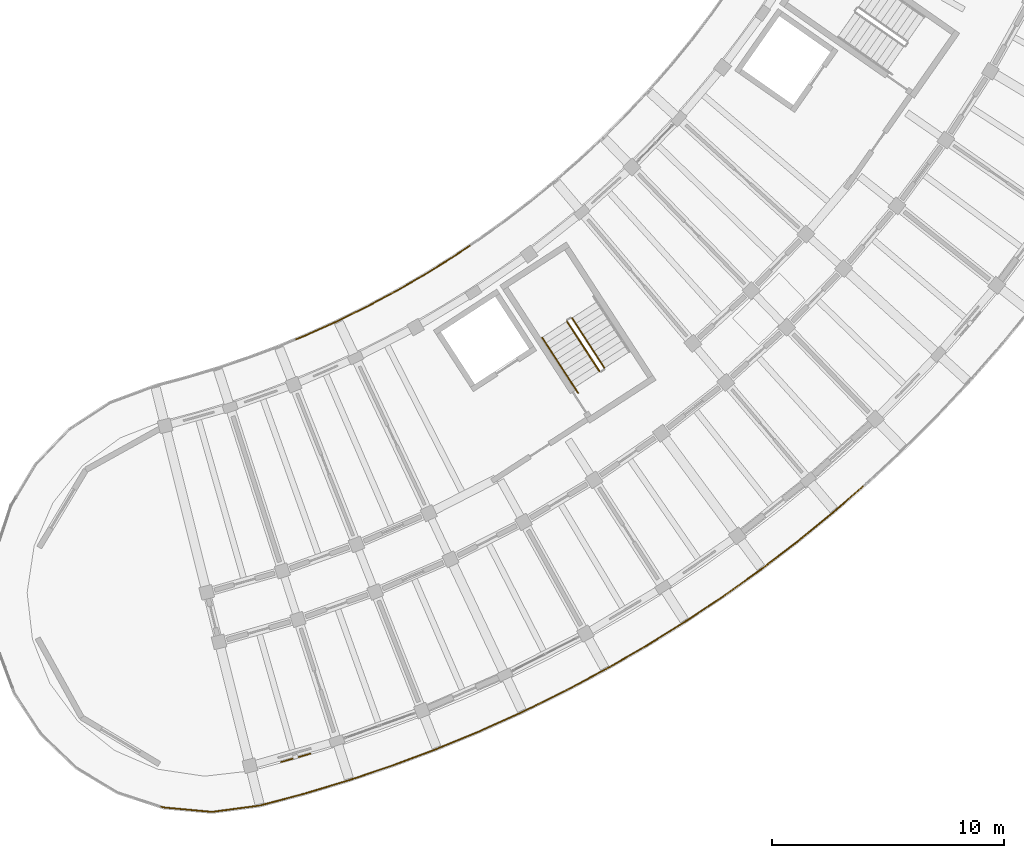
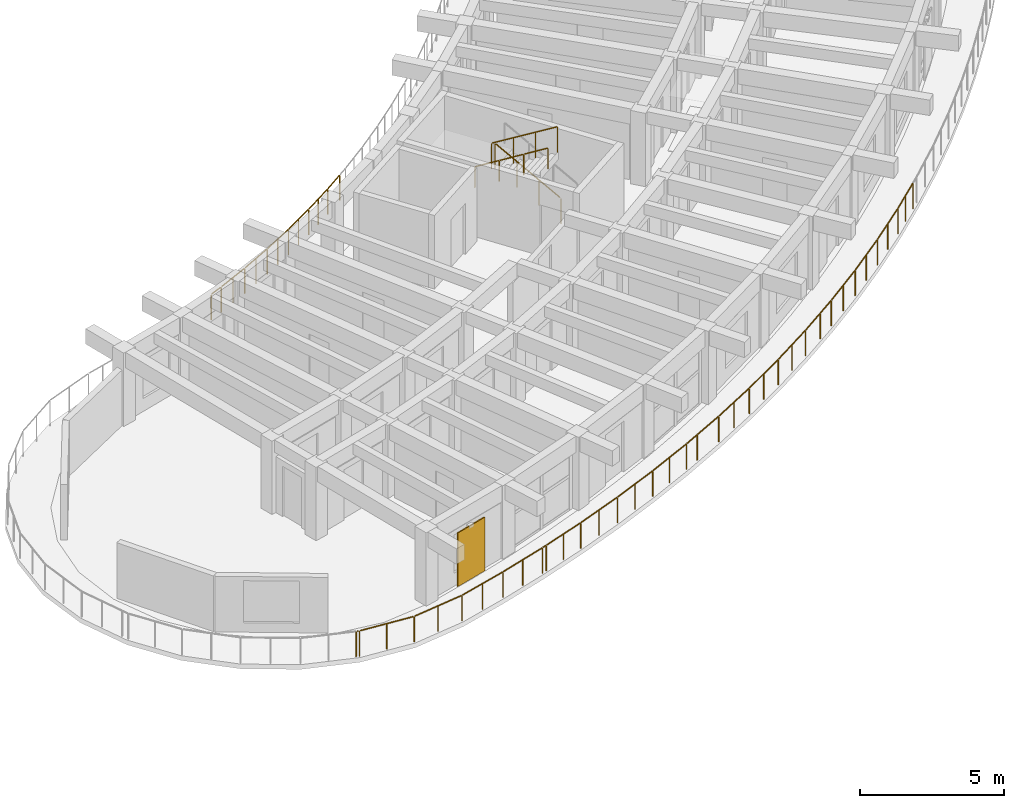
# One storey, part 88 of 96: 10 railings, 1 shading device.
"""IFC4 building model written with IfcOpenShell, lengths in metres."""

from ifc_helpers import new_model, si_unit, direction, frame, origin, origin_2d, place, context, subcontext, project, spatial, rectangle, circle, extrude, material, layer, layer_set, type_object, element, save


model = new_model("IFC4")

# Units and contexts
model_context = context("Model", 3, precision=1e-05, world=origin(), true_north=direction((0.0, 1.0)))
body_context = subcontext(model_context, "Body", "Model", "MODEL_VIEW")
ifc_project = project(units=[si_unit("LENGTHUNIT", "METRE"), si_unit("AREAUNIT", "SQUARE_METRE"), si_unit("VOLUMEUNIT", "CUBIC_METRE"), si_unit("PLANEANGLEUNIT", "RADIAN"), si_unit("MASSUNIT", "GRAM", prefix="KILO")], contexts=[model_context])

# Site, building, storey
site_placement = place(None, origin())
site = spatial("IfcSite", under=ifc_project, at=site_placement, CompositionType="ELEMENT")
building_placement = place(site_placement, origin())
building = spatial("IfcBuilding", under=site, at=building_placement, Name="Tanwirah Colonnade Gardens", CompositionType="ELEMENT")
storey_placement = place(building_placement, frame((0.0, 0.0, 12.199951171875)))
storey = spatial("IfcBuildingStorey", under=building, at=storey_placement, Name="L03", CompositionType="ELEMENT", Elevation=12.199951171875)

# Railings
ifc_material_1 = material(Name="Precast concrete C40/50", Category="concrete")
railing_type_1 = type_object("IfcRailingType", Name="BAL-EXT110", PredefinedType="BALUSTRADE", material=ifc_material_1)
railing_1_placement = place(storey_placement, frame((137.40625, 25.105224609375, 0.0)))
element("IfcRailing", 1, at=railing_1_placement, inside=storey, type_object=railing_type_1, Name="Block D L03 Balcony Ribbon Balustrade 2", PredefinedType="BALUSTRADE", context=body_context, shape_type="SweptSolid", body=[
    extrude(circle(Radius=0.02392578125, at=origin_2d()), frame((0.02880859375, 0.011962890625, 1.076171875), z_axis=(0.924304230347, 0.381656507561, 0.0), x_axis=(-0.381656507561, 0.924304230347, 0.0)), (0.0, 0.0, 1.0), 0.506103515625),
    extrude(circle(Radius=0.02392578125, at=origin_2d()), frame((0.556640625, 0.231201171875, 1.076171875), z_axis=(0.911383314029, 0.411558568018, 0.0), x_axis=(-0.411558568018, 0.911383314029, 0.0)), (0.0, 0.0, 1.0), 1.33154296875),
    extrude(circle(Radius=0.02392578125, at=origin_2d()), frame((1.828857421875, 0.80712890625, 1.076171875), z_axis=(0.897349966121, 0.441319655469, 0.0), x_axis=(-0.441319655469, 0.897349966121, 0.0)), (0.0, 0.0, 1.0), 1.33154296875),
    extrude(circle(Radius=0.02392578125, at=origin_2d()), frame((3.081787109375, 1.42431640625, 1.076171875), z_axis=(0.88242081136, 0.470460956593, 0.0), x_axis=(-0.470460956593, 0.88242081136, 0.0)), (0.0, 0.0, 1.0), 1.331298828125),
    extrude(circle(Radius=0.02392578125, at=origin_2d()), frame((4.313720703125, 2.082275390625, 1.076171875), z_axis=(0.866535241782, 0.499115893104, 0.0), x_axis=(-0.499115893104, 0.866535241782, 0.0)), (0.0, 0.0, 1.0), 1.33154296875),
    extrude(circle(Radius=0.02392578125, at=origin_2d()), frame((5.5234375, 2.7802734375, 1.076171875), z_axis=(0.849764617567, 0.527162303973, 0.0), x_axis=(-0.527162303973, 0.849764617567, 0.0)), (0.0, 0.0, 1.0), 1.33154296875),
    extrude(circle(Radius=0.02392578125, at=origin_2d()), frame((6.709716796875, 3.517333984375, 1.076171875), z_axis=(0.832050294338, 0.554700196225, 0.0), x_axis=(-0.554700196225, 0.832050294338, 0.0)), (0.0, 0.0, 1.0), 0.8828125),
    extrude(circle(Radius=0.02099609375, at=origin_2d()), origin(), (0.0, 0.0, 1.0), 1.049072265625),
    extrude(circle(Radius=0.02099609375, at=origin_2d()), frame((0.525634765625, 0.217041015625, 0.0)), (0.0, 0.0, 1.0), 1.049072265625),
    extrude(circle(Radius=0.02099609375, at=origin_2d()), frame((1.163330078125, 0.505126953125, 0.0)), (0.0, 0.0, 1.0), 1.049072265625),
    extrude(circle(Radius=0.02099609375, at=origin_2d()), frame((1.798583984375, 0.7919921875, 0.0)), (0.0, 0.0, 1.0), 1.049072265625),
    extrude(circle(Radius=0.02099609375, at=origin_2d()), frame((2.42626953125, 1.100830078125, 0.0)), (0.0, 0.0, 1.0), 1.049072265625),
    extrude(circle(Radius=0.02099609375, at=origin_2d()), frame((3.0517578125, 1.408447265625, 0.0)), (0.0, 0.0, 1.0), 1.049072265625),
    extrude(circle(Radius=0.02099609375, at=origin_2d()), frame((3.669189453125, 1.737548828125, 0.0)), (0.0, 0.0, 1.0), 1.049072265625),
    extrude(circle(Radius=0.02099609375, at=origin_2d()), frame((4.2841796875, 2.0654296875, 0.0)), (0.0, 0.0, 1.0), 1.049072265625),
    extrude(circle(Radius=0.02099609375, at=origin_2d()), frame((4.890625, 2.41455078125, 0.0)), (0.0, 0.0, 1.0), 1.049072265625),
    extrude(circle(Radius=0.02099609375, at=origin_2d()), frame((5.49462890625, 2.762451171875, 0.0)), (0.0, 0.0, 1.0), 1.049072265625),
    extrude(circle(Radius=0.02099609375, at=origin_2d()), frame((6.089111328125, 3.131103515625, 0.0)), (0.0, 0.0, 1.0), 1.049072265625),
    extrude(circle(Radius=0.02099609375, at=origin_2d()), frame((6.681396484375, 3.49853515625, 0.0)), (0.0, 0.0, 1.0), 1.049072265625),
    extrude(circle(Radius=0.02099609375, at=origin_2d()), frame((7.47021484375, 4.0244140625, 0.0)), (0.0, 0.0, 1.0), 1.049072265625),
])
railing_2_placement = place(storey_placement, frame((161.835693359375, 18.761962890625, 0.0)))
element("IfcRailing", 2, at=railing_2_placement, inside=storey, type_object=railing_type_1, Name="Block D L03 Balcony Ribbon Balustrade 14", PredefinedType="BALUSTRADE", context=body_context, shape_type="SweptSolid", body=[
    extrude(circle(Radius=0.02392578125, at=origin_2d()), frame((-0.0234375, -0.0205078125, 1.076171875), z_axis=(-0.752557964537, -0.658526013163, 0.0), x_axis=(0.658526013163, -0.752557964537, 0.0)), (0.0, 0.0, 1.0), 1.552490234375),
    extrude(circle(Radius=0.02392578125, at=origin_2d()), frame((-1.239501953125, -1.083251953125, 1.076171875), z_axis=(-0.773707873236, -0.633542521771, 0.0), x_axis=(0.633542521771, -0.773707873236, 0.0)), (0.0, 0.0, 1.0), 1.944091796875),
    extrude(circle(Radius=0.02392578125, at=origin_2d()), frame((-2.792724609375, -2.353759765625, 1.076171875), z_axis=(-0.794033083107, -0.607874545388, 0.0), x_axis=(0.607874545388, -0.794033083107, 0.0)), (0.0, 0.0, 1.0), 1.944091796875),
    extrude(circle(Radius=0.02392578125, at=origin_2d()), frame((-4.386474609375, -3.572509765625, 1.076171875), z_axis=(-0.813486769226, -0.581583421612, 0.0), x_axis=(0.581583421612, -0.813486769226, 0.0)), (0.0, 0.0, 1.0), 1.944091796875),
    extrude(circle(Radius=0.02392578125, at=origin_2d()), frame((-6.01953125, -4.73876953125, 1.076171875), z_axis=(-0.832050294338, -0.554700196225, 0.0), x_axis=(0.554700196225, -0.832050294338, 0.0)), (0.0, 0.0, 1.0), 0.802734375),
    extrude(circle(Radius=0.02099609375, at=origin_2d()), origin(), (0.0, 0.0, 1.0), 1.049072265625),
    extrude(circle(Radius=0.02099609375, at=origin_2d()), frame((-0.607666015625, -0.53173828125, 0.0)), (0.0, 0.0, 1.0), 1.049072265625),
    extrude(circle(Radius=0.02099609375, at=origin_2d()), frame((-1.21533203125, -1.0634765625, 0.0)), (0.0, 0.0, 1.0), 1.049072265625),
    extrude(circle(Radius=0.02099609375, at=origin_2d()), frame((-1.99169921875, -1.69921875, 0.0)), (0.0, 0.0, 1.0), 1.049072265625),
    extrude(circle(Radius=0.02099609375, at=origin_2d()), frame((-2.767822265625, -2.334716796875, 0.0)), (0.0, 0.0, 1.0), 1.049072265625),
    extrude(circle(Radius=0.02099609375, at=origin_2d()), frame((-3.564453125, -2.944580078125, 0.0)), (0.0, 0.0, 1.0), 1.049072265625),
    extrude(circle(Radius=0.02099609375, at=origin_2d()), frame((-4.361083984375, -3.554443359375, 0.0)), (0.0, 0.0, 1.0), 1.049072265625),
    extrude(circle(Radius=0.02099609375, at=origin_2d()), frame((-5.17724609375, -4.137939453125, 0.0)), (0.0, 0.0, 1.0), 1.049072265625),
    extrude(circle(Radius=0.02099609375, at=origin_2d()), frame((-5.993408203125, -4.721435546875, 0.0)), (0.0, 0.0, 1.0), 1.049072265625),
    extrude(circle(Radius=0.02099609375, at=origin_2d()), frame((-6.71337890625, -5.201416015625, 0.0)), (0.0, 0.0, 1.0), 1.049072265625),
])
railing_3_placement = place(storey_placement, frame((155.122314453125, 13.560546875, 0.0)))
element("IfcRailing", 3, at=railing_3_placement, inside=storey, type_object=railing_type_1, Name="Block D L03 Balcony Ribbon Balustrade 15", PredefinedType="BALUSTRADE", context=body_context, shape_type="SweptSolid", body=[
    extrude(circle(Radius=0.02392578125, at=origin_2d()), frame((-0.026123046875, -0.017333984375, 1.076171875), z_axis=(-0.832083201048, -0.554650832987, 0.0), x_axis=(0.554650832987, -0.832083201048, 0.0)), (0.0, 0.0, 1.0), 1.078857421875),
    extrude(circle(Radius=0.02392578125, at=origin_2d()), frame((-0.976318359375, -0.649658203125, 1.076171875), z_axis=(-0.84977735452, -0.527141771959, 0.0), x_axis=(0.527141771959, -0.84977735452, 0.0)), (0.0, 0.0, 1.0), 1.9443359375),
    extrude(circle(Radius=0.02392578125, at=origin_2d()), frame((-2.68212890625, -1.70654296875, 1.076171875), z_axis=(-0.866598539642, -0.499005983021, 0.0), x_axis=(0.499005983021, -0.866598539642, 0.0)), (0.0, 0.0, 1.0), 1.94384765625),
    extrude(circle(Radius=0.02392578125, at=origin_2d()), frame((-4.42138671875, -2.706787109375, 1.076171875), z_axis=(-0.882416921514, -0.470468252516, 0.0), x_axis=(0.470468252516, -0.882416921514, 0.0)), (0.0, 0.0, 1.0), 1.944091796875),
    extrude(circle(Radius=0.02392578125, at=origin_2d()), frame((-6.192626953125, -3.650146484375, 1.076171875), z_axis=(-0.897361804375, -0.441295583537, 0.0), x_axis=(0.441295583537, -0.897361804375, 0.0)), (0.0, 0.0, 1.0), 1.2763671875),
    extrude(circle(Radius=0.02099609375, at=origin_2d()), origin(), (0.0, 0.0, 1.0), 1.049072265625),
    extrude(circle(Radius=0.02099609375, at=origin_2d()), frame((-0.94970703125, -0.633056640625, 0.0)), (0.0, 0.0, 1.0), 1.049072265625),
    extrude(circle(Radius=0.02099609375, at=origin_2d()), frame((-1.80224609375, -1.162109375, 0.0)), (0.0, 0.0, 1.0), 1.049072265625),
    extrude(circle(Radius=0.02099609375, at=origin_2d()), frame((-2.655029296875, -1.69091796875, 0.0)), (0.0, 0.0, 1.0), 1.049072265625),
    extrude(circle(Radius=0.02099609375, at=origin_2d()), frame((-3.5244140625, -2.19140625, 0.0)), (0.0, 0.0, 1.0), 1.049072265625),
    extrude(circle(Radius=0.02099609375, at=origin_2d()), frame((-4.393798828125, -2.692138671875, 0.0)), (0.0, 0.0, 1.0), 1.049072265625),
    extrude(circle(Radius=0.02099609375, at=origin_2d()), frame((-5.279296875, -3.1640625, 0.0)), (0.0, 0.0, 1.0), 1.049072265625),
    extrude(circle(Radius=0.02099609375, at=origin_2d()), frame((-6.16455078125, -3.63623046875, 0.0)), (0.0, 0.0, 1.0), 1.049072265625),
    extrude(circle(Radius=0.02099609375, at=origin_2d()), frame((-7.365966796875, -4.22705078125, 0.0)), (0.0, 0.0, 1.0), 1.049072265625),
])
railing_4_placement = place(storey_placement, frame((147.75634765625, 9.33349609375, 0.0)))
element("IfcRailing", 4, at=railing_4_placement, inside=storey, type_object=railing_type_1, Name="Block D L03 Balcony Ribbon Balustrade 16", PredefinedType="BALUSTRADE", context=body_context, shape_type="SweptSolid", body=[
    extrude(circle(Radius=0.02392578125, at=origin_2d()), frame((-0.028076171875, -0.013916015625, 1.076171875), z_axis=(-0.897333348104, -0.441353443831, 0.0), x_axis=(0.441353443831, -0.897333348104, 0.0)), (0.0, 0.0, 1.0), 0.605224609375),
    extrude(circle(Radius=0.02392578125, at=origin_2d()), frame((-0.627685546875, -0.3076171875, 1.076171875), z_axis=(-0.911305810052, -0.411730155035, 0.0), x_axis=(0.411730155035, -0.911305810052, 0.0)), (0.0, 0.0, 1.0), 1.944091796875),
    extrude(circle(Radius=0.02392578125, at=origin_2d()), frame((-2.45654296875, -1.1328125, 1.076171875), z_axis=(-0.924299685122, -0.381667515102, 0.0), x_axis=(0.381667515102, -0.924299685122, 0.0)), (0.0, 0.0, 1.0), 1.944091796875),
    extrude(circle(Radius=0.02392578125, at=origin_2d()), frame((-4.311767578125, -1.897705078125, 1.076171875), z_axis=(-0.93628917395, -0.351230099427, 0.0), x_axis=(0.351230099427, -0.93628917395, 0.0)), (0.0, 0.0, 1.0), 1.9443359375),
    extrude(circle(Radius=0.02392578125, at=origin_2d()), frame((-6.19091796875, -2.6015625, 1.076171875), z_axis=(-0.947300271749, -0.320346991783, 0.0), x_axis=(0.320346991783, -0.947300271749, 0.0)), (0.0, 0.0, 1.0), 1.749755859375),
    extrude(circle(Radius=0.02099609375, at=origin_2d()), origin(), (0.0, 0.0, 1.0), 1.049072265625),
    extrude(circle(Radius=0.02099609375, at=origin_2d()), frame((-0.59912109375, -0.294677734375, 0.0)), (0.0, 0.0, 1.0), 1.049072265625),
    extrude(circle(Radius=0.02099609375, at=origin_2d()), frame((-1.513427734375, -0.707763671875, 0.0)), (0.0, 0.0, 1.0), 1.049072265625),
    extrude(circle(Radius=0.02099609375, at=origin_2d()), frame((-2.427734375, -1.120849609375, 0.0)), (0.0, 0.0, 1.0), 1.049072265625),
    extrude(circle(Radius=0.02099609375, at=origin_2d()), frame((-3.35498046875, -1.50390625, 0.0)), (0.0, 0.0, 1.0), 1.049072265625),
    extrude(circle(Radius=0.02099609375, at=origin_2d()), frame((-4.282470703125, -1.88671875, 0.0)), (0.0, 0.0, 1.0), 1.049072265625),
    extrude(circle(Radius=0.02099609375, at=origin_2d()), frame((-5.221923828125, -2.2392578125, 0.0)), (0.0, 0.0, 1.0), 1.049072265625),
    extrude(circle(Radius=0.02099609375, at=origin_2d()), frame((-6.161376953125, -2.591552734375, 0.0)), (0.0, 0.0, 1.0), 1.049072265625),
    extrude(circle(Radius=0.02099609375, at=origin_2d()), frame((-7.019775390625, -2.8818359375, 0.0)), (0.0, 0.0, 1.0), 1.049072265625),
    extrude(circle(Radius=0.02099609375, at=origin_2d()), frame((-7.878173828125, -3.172119140625, 0.0)), (0.0, 0.0, 1.0), 1.049072265625),
])
railing_5_placement = place(storey_placement, frame((139.878173828125, 6.161376953125, 0.0)))
element("IfcRailing", 5, at=railing_5_placement, inside=storey, type_object=railing_type_1, Name="Block D L03 Balcony Ribbon Balustrade 17", PredefinedType="BALUSTRADE", context=body_context, shape_type="SweptSolid", body=[
    extrude(circle(Radius=0.02392578125, at=origin_2d()), frame((-0.029541015625, -0.010009765625, 1.076171875), z_axis=(-0.947163067571, -0.320752433241, 0.0), x_axis=(0.320752433241, -0.947163067571, 0.0)), (0.0, 0.0, 1.0), 0.131591796875),
    extrude(circle(Radius=0.02392578125, at=origin_2d()), frame((-0.2138671875, -0.0712890625, 1.076171875), z_axis=(-0.957268624199, -0.289200243991, 0.0), x_axis=(0.289200243991, -0.957268624199, 0.0)), (0.0, 0.0, 1.0), 1.944091796875),
    extrude(circle(Radius=0.02392578125, at=origin_2d()), frame((-2.135009765625, -0.650634765625, 1.076171875), z_axis=(-0.966192437924, -0.257821979083, 0.0), x_axis=(0.257821979083, -0.966192437924, 0.0)), (0.0, 0.0, 1.0), 1.940185546875),
    extrude(circle(Radius=0.02392578125, at=origin_2d()), frame((-4.07080078125, -1.1630859375, 1.076171875), z_axis=(-0.991286952851, -0.131720071011, 0.0), x_axis=(0.131720071011, -0.991286952851, 0.0)), (0.0, 0.0, 1.0), 2.0283203125),
    extrude(circle(Radius=0.02392578125, at=origin_2d()), frame((-6.1435546875, -1.431396484375, 1.076171875), z_axis=(-0.995752995821, 0.0920650385, 0.0), x_axis=(-0.0920650385, -0.995752995821, 0.0)), (0.0, 0.0, 1.0), 2.0244140625),
    extrude(circle(Radius=0.02392578125, at=origin_2d()), frame((-8.22021484375, -1.232421875, 1.076171875), z_axis=(-0.949909728063, 0.312524412696, 0.0), x_axis=(-0.312524412696, -0.949909728063, 0.0)), (0.0, 0.0, 1.0), 0.05615234375),
    extrude(circle(Radius=0.02099609375, at=origin_2d()), origin(), (0.0, 0.0, 1.0), 1.049072265625),
    extrude(circle(Radius=0.02099609375, at=origin_2d()), frame((-0.183837890625, -0.062255859375, 0.0)), (0.0, 0.0, 1.0), 1.049072265625),
    extrude(circle(Radius=0.02099609375, at=origin_2d()), frame((-1.144287109375, -0.3525390625, 0.0)), (0.0, 0.0, 1.0), 1.049072265625),
    extrude(circle(Radius=0.02099609375, at=origin_2d()), frame((-2.104736328125, -0.642578125, 0.0)), (0.0, 0.0, 1.0), 1.049072265625),
    extrude(circle(Radius=0.02099609375, at=origin_2d()), frame((-3.072265625, -0.90087890625, 0.0)), (0.0, 0.0, 1.0), 1.049072265625),
    extrude(circle(Radius=0.02099609375, at=origin_2d()), frame((-4.039794921875, -1.158935546875, 0.0)), (0.0, 0.0, 1.0), 1.049072265625),
    extrude(circle(Radius=0.02099609375, at=origin_2d()), frame((-5.076171875, -1.296630859375, 0.0)), (0.0, 0.0, 1.0), 1.049072265625),
    extrude(circle(Radius=0.02099609375, at=origin_2d()), frame((-6.1123046875, -1.434326171875, 0.0)), (0.0, 0.0, 1.0), 1.049072265625),
    extrude(circle(Radius=0.02099609375, at=origin_2d()), frame((-7.1513671875, -1.33837890625, 0.0)), (0.0, 0.0, 1.0), 1.049072265625),
    extrude(circle(Radius=0.02099609375, at=origin_2d()), frame((-8.1904296875, -1.2421875, 0.0)), (0.0, 0.0, 1.0), 1.049072265625),
    extrude(circle(Radius=0.02099609375, at=origin_2d()), frame((-8.30322265625, -1.205078125, 0.0)), (0.0, 0.0, 1.0), 1.049072265625),
])
ifc_material_2 = material(Name="Powder-coated galvanized steel", Category="steel")
railing_type_2 = type_object("IfcRailingType", Name="GRD-ST110", PredefinedType="GUARDRAIL", material=ifc_material_2)
railing_6_placement = place(storey_placement, frame((150.691162109375, 23.865478515625, 0.16796875)))
element("IfcRailing", 6, at=railing_6_placement, inside=storey, type_object=railing_type_2, Name="L03 ST-D1 stair guard 1", PredefinedType="GUARDRAIL", context=body_context, shape_type="SweptSolid", body=[
    extrude(circle(Radius=0.02392578125, at=origin_2d()), frame((-0.0146484375, 0.022705078125, 1.092041015625), z_axis=(-0.469192556557, 0.722484378858, 0.507813614603), x_axis=(-0.838667537708, -0.544643701143, 0.0)), (0.0, 0.0, 1.0), 2.914794921875),
    extrude(circle(Radius=0.02099609375, at=origin_2d()), origin(), (0.0, 0.0, 1.0), 1.049072265625),
    extrude(circle(Radius=0.02099609375, at=origin_2d()), frame((-0.465576171875, 0.717041015625, 0.50390625)), (0.0, 0.0, 1.0), 1.049072265625),
    extrude(circle(Radius=0.02099609375, at=origin_2d()), frame((-0.931396484375, 1.43408203125, 1.008056640625)), (0.0, 0.0, 1.0), 1.049072265625),
    extrude(circle(Radius=0.02099609375, at=origin_2d()), frame((-1.39697265625, 2.151123046875, 1.511962890625)), (0.0, 0.0, 1.0), 1.049072265625),
])
railing_7_placement = place(storey_placement, frame((149.076171875, 25.875, 1.84814453125)))
element("IfcRailing", 7, at=railing_7_placement, inside=storey, type_object=railing_type_2, Name="L03 ST-D1 stair guard 3", PredefinedType="GUARDRAIL", context=body_context, shape_type="SweptSolid", body=[
    extrude(circle(Radius=0.02392578125, at=origin_2d()), frame((0.0146484375, -0.022705078125, 1.092041015625), z_axis=(0.469192556557, -0.722484378858, 0.507813614603), x_axis=(0.838667537708, 0.544643701143, 0.0)), (0.0, 0.0, 1.0), 2.914794921875),
    extrude(circle(Radius=0.02099609375, at=origin_2d()), origin(), (0.0, 0.0, 1.0), 1.049072265625),
    extrude(circle(Radius=0.02099609375, at=origin_2d()), frame((0.465576171875, -0.717041015625, 0.50390625)), (0.0, 0.0, 1.0), 1.049072265625),
    extrude(circle(Radius=0.02099609375, at=origin_2d()), frame((0.931396484375, -1.43408203125, 1.008056640625)), (0.0, 0.0, 1.0), 1.049072265625),
    extrude(circle(Radius=0.02099609375, at=origin_2d()), frame((1.39697265625, -2.151123046875, 1.511962890625)), (0.0, 0.0, 1.0), 1.049072265625),
])
ifc_material_3 = material(Name="Brushed bronze stainless steel", Category="steel")
railing_type_3 = type_object("IfcRailingType", Name="HR-ST090", PredefinedType="HANDRAIL", material=ifc_material_3)
railing_8_placement = place(storey_placement, frame((148.002685546875, 25.177978515625, 1.84814453125)))
element("IfcRailing", 8, at=railing_8_placement, inside=storey, type_object=railing_type_3, Name="L03 ST-D1 stair handrail 4", PredefinedType="HANDRAIL", context=body_context, shape_type="SweptSolid", body=[
    extrude(circle(Radius=0.02392578125, at=origin_2d()), frame((0.0146484375, -0.0224609375, 0.891845703125), z_axis=(0.467815092293, -0.720598613141, 0.511748647445), x_axis=(0.838748777278, 0.544518584269, 0.0)), (0.0, 0.0, 1.0), 1.043212890625),
    extrude(circle(Radius=0.02099609375, at=origin_2d()), origin(), (0.0, 0.0, 1.0), 0.848876953125),
    extrude(circle(Radius=0.02099609375, at=origin_2d()), frame((0.517333984375, -0.796875, 0.56591796875)), (0.0, 0.0, 1.0), 0.848876953125),
])
railing_9_placement = place(storey_placement, frame((148.52001953125, 24.381103515625, 2.4140625)))
element("IfcRailing", 9, at=railing_9_placement, inside=storey, type_object=railing_type_3, Name="L03 ST-D1 stair handrail 5", PredefinedType="HANDRAIL", context=body_context, shape_type="SweptSolid", body=[
    extrude(circle(Radius=0.02392578125, at=origin_2d()), frame((0.0146484375, -0.0224609375, 0.891845703125), z_axis=(0.468061963177, -0.720418012192, 0.511777184266), x_axis=(0.838555156357, 0.544816712067, 0.0)), (0.0, 0.0, 1.0), 1.043212890625),
    extrude(circle(Radius=0.02099609375, at=origin_2d()), origin(), (0.0, 0.0, 1.0), 0.848876953125),
    extrude(circle(Radius=0.02099609375, at=origin_2d()), frame((0.517578125, -0.796630859375, 0.56591796875)), (0.0, 0.0, 1.0), 0.848876953125),
])
railing_10_placement = place(storey_placement, frame((149.03759765625, 23.58447265625, 2.97998046875)))
element("IfcRailing", 10, at=railing_10_placement, inside=storey, type_object=railing_type_3, Name="L03 ST-D1 stair handrail 6", PredefinedType="HANDRAIL", context=body_context, shape_type="SweptSolid", body=[
    extrude(circle(Radius=0.02392578125, at=origin_2d()), frame((0.0146484375, -0.0224609375, 0.891845703125), z_axis=(0.467762236297, -0.720517196448, 0.511911574315), x_axis=(0.838748777278, 0.544518584269, 0.0)), (0.0, 0.0, 1.0), 1.04345703125),
    extrude(circle(Radius=0.02099609375, at=origin_2d()), origin(), (0.0, 0.0, 1.0), 0.848876953125),
    extrude(circle(Radius=0.02099609375, at=origin_2d()), frame((0.517333984375, -0.796875, 0.566162109375)), (0.0, 0.0, 1.0), 0.848876953125),
])

# Shading device
ifc_material_4 = material(Name="Perforated architectural bronze aluminium", Category="aluminium")
ifc_layer = layer(ifc_material_4, 0.044921875)
ifc_layer_set = layer_set([ifc_layer], Name="Perforated architectural bronze aluminium")
shading_device_type = type_object("IfcShadingDeviceType", Name="SHD-MSH1", PredefinedType="JALOUSIE", material=ifc_layer_set)
shading_device_placement = place(storey_placement, frame((137.382568359375, 7.057373046875, 0.0), z_axis=(0.0, 0.0, 1.0), x_axis=(0.961860770803, 0.273539499139, 0.0)))
element("IfcShadingDevice", 11, at=shading_device_placement, inside=storey, type_object=shading_device_type, Name="Bronze mashrabiya solar screen D-L03-00", PredefinedType="JALOUSIE", context=body_context, shape_type="SweptSolid", body=[
    extrude(rectangle(XDim=1.35009765625, YDim=0.044921875, at=origin_2d()), origin(), (0.0, 0.0, 1.0), 2.27001953125),
])

save(model, "model.ifc")
